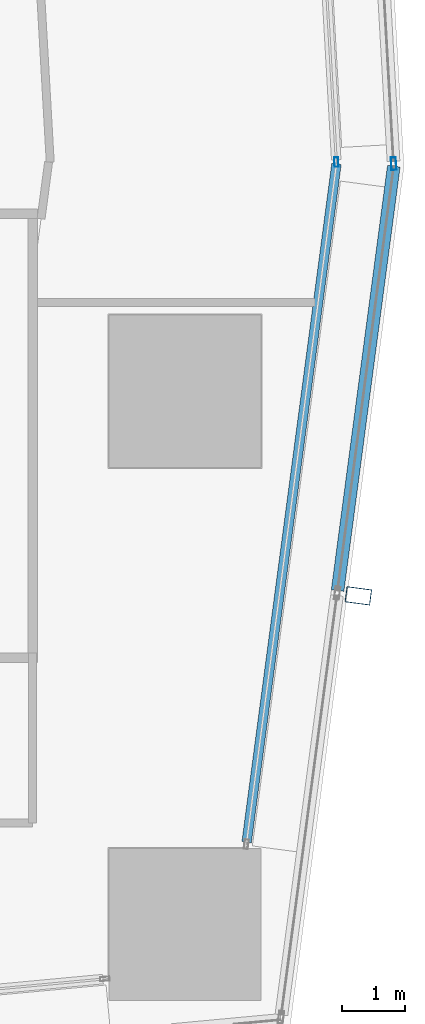
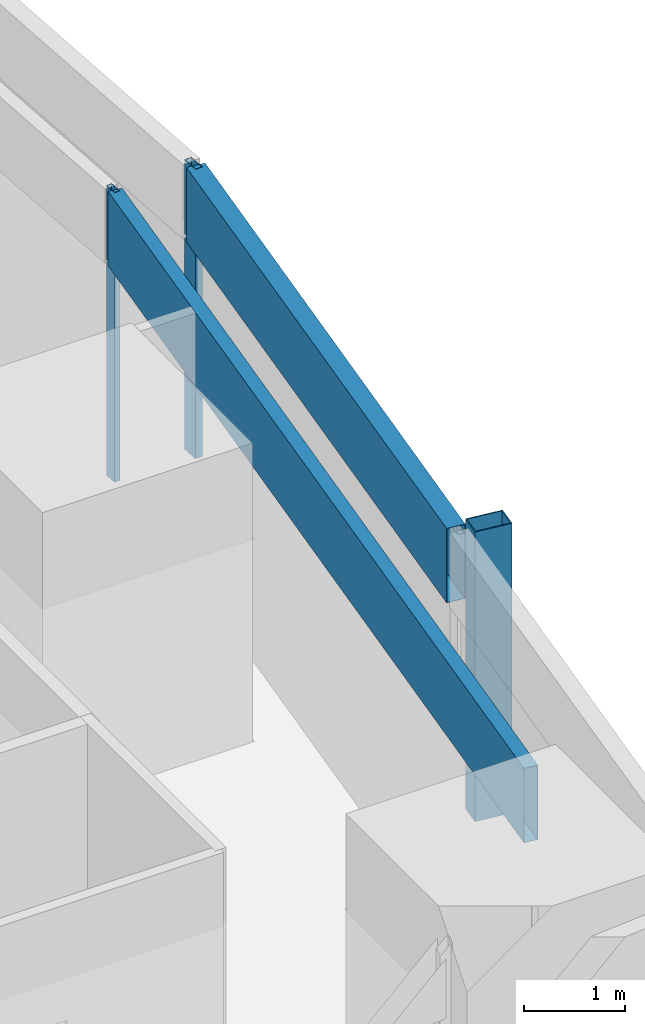
# One storey, part 11 of 37: 5 members, 4 elements without a shape of their own.
"""IFC4 building model written with IfcOpenShell, lengths in metres."""

from ifc_helpers import new_model, si_unit, direction, frame, origin, origin_2d, place, context, subcontext, project, spatial, hollow_rectangle, extrude, material, material_profile, profile_set, type_object, element, aggregate, save


model = new_model("IFC4")

# Units and contexts
model_context = context("Model", 3, precision=1e-05, world=origin(), true_north=direction((0.0, 1.0)))
body_context = subcontext(model_context, "Body", "Model", "MODEL_VIEW")
ifc_project = project(units=[si_unit("LENGTHUNIT", "METRE"), si_unit("AREAUNIT", "SQUARE_METRE"), si_unit("VOLUMEUNIT", "CUBIC_METRE"), si_unit("PLANEANGLEUNIT", "RADIAN"), si_unit("MASSUNIT", "GRAM", prefix="KILO")], contexts=[model_context])

# Site, building, storey
site_placement = place(None, origin())
site = spatial("IfcSite", under=ifc_project, at=site_placement, CompositionType="ELEMENT")
building_placement = place(site_placement, origin())
building = spatial("IfcBuilding", under=site, at=building_placement, Name="Rekha Terrace Tower", CompositionType="ELEMENT")
storey_placement = place(building_placement, frame((0.0, 0.0, 228.949951171875)))
storey = spatial("IfcBuildingStorey", under=building, at=storey_placement, Name="L58", CompositionType="ELEMENT", Elevation=228.949951171875)

# Curtain wall, member
ifc_material_1 = material(Name="Aluminium framing", Category="aluminium")
curtain_wall_type_1 = type_object("IfcCurtainWallType", Name="CW2 double skin outer glazing", PredefinedType="USERDEFINED", material=ifc_material_1)
curtain_wall_1_placement = place(storey_placement, origin())
curtain_wall_1 = element("IfcCurtainWall", 1, at=curtain_wall_1_placement, inside=storey, type_object=curtain_wall_type_1, Name="CW2 double skin outer glazing", ObjectType="DOUBLE SKIN OUTER GLAZING", PredefinedType="USERDEFINED")
ifc_material_2 = material(Name="Steel S355 with fluorocarbon finish", Category="steel")
ifc_material_profile_1 = material_profile(ifc_material_2, hollow_rectangle(XDim=0.25, YDim=0.39990234375, WallThickness=0.012451171875, at=origin_2d()), Name="RHS400x250x12.5")
ifc_profile_set_1 = profile_set([ifc_material_profile_1], Name="Steel S355 with fluorocarbon finish")
member_type_1 = type_object("IfcMemberType", Name="BL1 facade blade RHS 400 x 250", PredefinedType="USERDEFINED", material=ifc_profile_set_1)
member_1_placement = place(storey_placement, frame((61.531005859375, 21.977783203125, 0.0), z_axis=(0.0, 0.0, 1.0), x_axis=(0.131303100637, 0.991342269735, 0.0)))
member_1 = element("IfcMember", 2, at=member_1_placement, type_object=member_type_1, Name="Facade blade", ObjectType="FACADE BLADE", PredefinedType="USERDEFINED", context=body_context, shape_type="SweptSolid", body=[
    extrude(hollow_rectangle(XDim=0.25, YDim=0.39990234375, WallThickness=0.012451171875, at=origin_2d()), origin(), (0.0, 0.0, 1.0), 3.5),
])

curtain_wall_type_2 = type_object("IfcCurtainWallType", Name="CW1 double skin inner glazing", PredefinedType="USERDEFINED", material=ifc_material_1)
curtain_wall_2_placement = place(storey_placement, origin())
curtain_wall_2 = element("IfcCurtainWall", 3, at=curtain_wall_2_placement, inside=storey, type_object=curtain_wall_type_2, Name="CW1 double skin inner glazing", ObjectType="DOUBLE SKIN INNER GLAZING", PredefinedType="USERDEFINED")
ifc_material_3 = material(Name="Aluminium mullion section", Category="aluminium")
ifc_material_profile_2 = material_profile(ifc_material_3, hollow_rectangle(XDim=0.06494140625, YDim=0.14990234375, WallThickness=0.00390625, at=origin_2d()), Name="AL RHS 65x150")
ifc_profile_set_2 = profile_set([ifc_material_profile_2], Name="Aluminium mullion section")
member_type_2 = type_object("IfcMemberType", Name="CW1 mullion RHS 65 x 150", PredefinedType="MULLION", material=ifc_profile_set_2)
member_2_placement = place(storey_placement, frame((61.18408203125, 28.812255859375, 0.0), z_axis=(0.0, 0.0, 1.0), x_axis=(-0.998392782918, -0.056673194877, 0.0)))
member_2 = element("IfcMember", 4, at=member_2_placement, type_object=member_type_2, Name="CW1 mullion 1", PredefinedType="MULLION", context=body_context, shape_type="SweptSolid", body=[
    extrude(hollow_rectangle(XDim=0.06494140625, YDim=0.14990234375, WallThickness=0.00390625, at=origin_2d()), origin(), (0.0, 0.0, 1.0), 3.5),
])
aggregate(curtain_wall_2, [member_2])

curtain_wall_3_placement = place(storey_placement, origin())
curtain_wall_3 = element("IfcCurtainWall", 5, at=curtain_wall_3_placement, inside=storey, type_object=curtain_wall_type_2, Name="CW1 double skin inner glazing", ObjectType="DOUBLE SKIN INNER GLAZING", PredefinedType="USERDEFINED")
ifc_material_4 = material(Name="Insulated aluminium spandrel box", Category="aluminium")
ifc_material_profile_3 = material_profile(ifc_material_4, hollow_rectangle(XDim=0.14990234375, YDim=0.89990234375, WallThickness=0.0029296875, at=origin_2d()), Name="AL SPANDREL BOX 150x900")
ifc_profile_set_3 = profile_set([ifc_material_profile_3], Name="Insulated aluminium spandrel box")
member_type_3 = type_object("IfcMemberType", Name="CW1 spandrel transom 150 x 900", PredefinedType="USERDEFINED", material=ifc_profile_set_3)
member_3_placement = place(storey_placement, frame((59.77099609375, 18.0966796875, 3.050048828125), z_axis=(0.131308911163, 0.991341500114, 0.0), x_axis=(-0.991341500114, 0.131308911163, 0.0)))
member_3 = element("IfcMember", 6, at=member_3_placement, type_object=member_type_3, Name="CW1 spandrel transom 1", ObjectType="TRANSOM", PredefinedType="USERDEFINED", context=body_context, shape_type="SweptSolid", body=[
    extrude(hollow_rectangle(XDim=0.14990234375, YDim=0.89990234375, WallThickness=0.0029296875, at=origin_2d()), origin(), (0.0, 0.0, 1.0), 10.7763671875),
])
aggregate(curtain_wall_3, [member_3])

curtain_wall_4_placement = place(storey_placement, origin())
curtain_wall_4 = element("IfcCurtainWall", 7, at=curtain_wall_4_placement, inside=storey, type_object=curtain_wall_type_1, Name="CW2 double skin outer glazing", ObjectType="DOUBLE SKIN OUTER GLAZING", PredefinedType="USERDEFINED")
ifc_material_profile_4 = material_profile(ifc_material_3, hollow_rectangle(XDim=0.080078125, YDim=0.199951171875, WallThickness=0.00390625, at=origin_2d()), Name="AL RHS 80x200")
ifc_profile_set_4 = profile_set([ifc_material_profile_4], Name="Aluminium mullion section")
member_type_4 = type_object("IfcMemberType", Name="CW2 mullion RHS 80 x 200", PredefinedType="MULLION", material=ifc_profile_set_4)
member_4_placement = place(storey_placement, frame((62.087158203125, 28.785888671875, 0.0), z_axis=(0.0, 0.0, 1.0), x_axis=(-0.998392782919, -0.05667319486, 0.0)))
member_4 = element("IfcMember", 8, at=member_4_placement, type_object=member_type_4, Name="CW2 mullion 1", PredefinedType="MULLION", context=body_context, shape_type="SweptSolid", body=[
    extrude(hollow_rectangle(XDim=0.080078125, YDim=0.199951171875, WallThickness=0.00390625, at=origin_2d()), origin(), (0.0, 0.0, 1.0), 3.5),
])
aggregate(curtain_wall_4, [member_4])

# Member
ifc_material_profile_5 = material_profile(ifc_material_4, hollow_rectangle(XDim=0.199951171875, YDim=0.89990234375, WallThickness=0.0029296875, at=origin_2d()), Name="AL SPANDREL BOX 200x900")
ifc_profile_set_5 = profile_set([ifc_material_profile_5], Name="Insulated aluminium spandrel box")
member_type_5 = type_object("IfcMemberType", Name="CW2 spandrel transom 200 x 900", PredefinedType="USERDEFINED", material=ifc_profile_set_5)
member_5_placement = place(storey_placement, frame((61.2041015625, 22.0615234375, 3.050048828125), z_axis=(0.131286165193, 0.991344512684, 0.0), x_axis=(-0.991344512684, 0.131286165193, 0.0)))
member_5 = element("IfcMember", 9, at=member_5_placement, type_object=member_type_5, Name="CW2 spandrel transom 2", ObjectType="TRANSOM", PredefinedType="USERDEFINED", context=body_context, shape_type="SweptSolid", body=[
    extrude(hollow_rectangle(XDim=0.199951171875, YDim=0.89990234375, WallThickness=0.0029296875, at=origin_2d()), origin(), (0.0, 0.0, 1.0), 6.742919921875),
])

aggregate(curtain_wall_1, [member_5, member_1])

save(model, "model.ifc")
